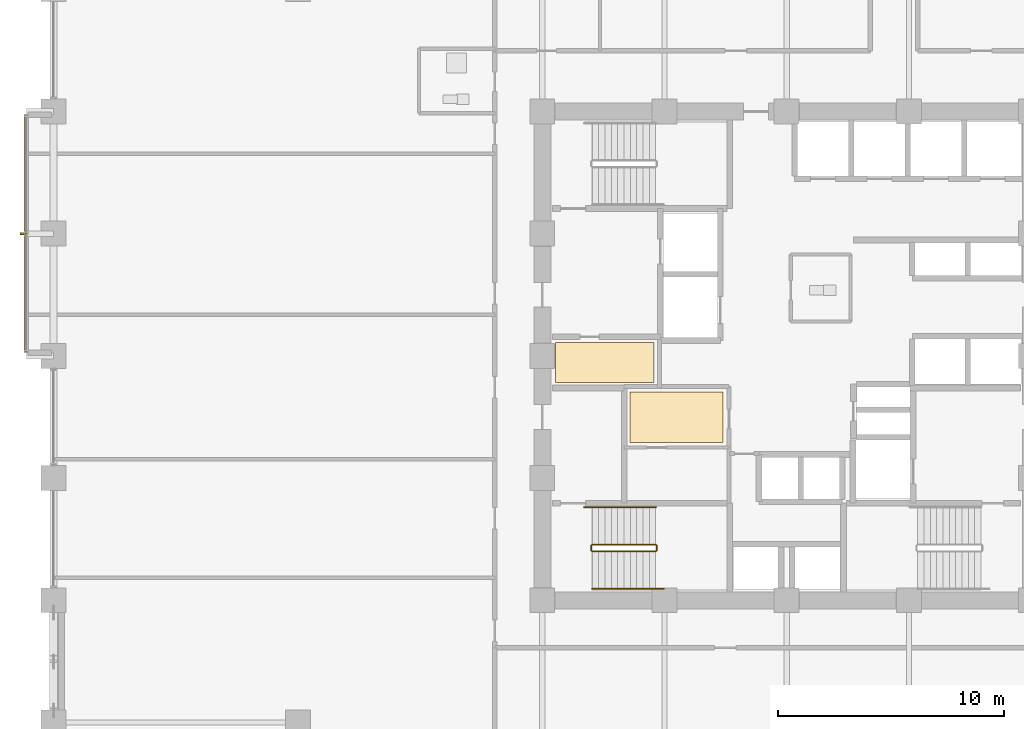
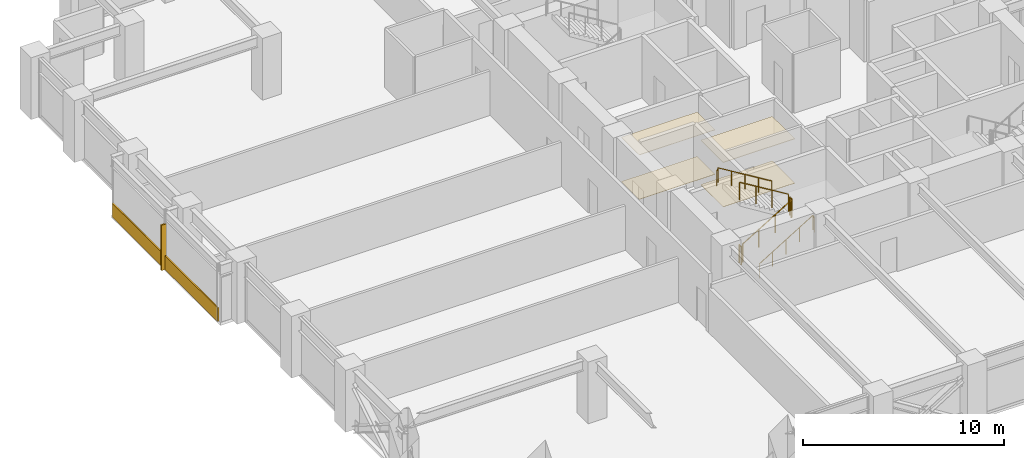
# One storey, part 23 of 25: 6 railings, 5 coverings, 1 shading device.
"""IFC4 building model written with IfcOpenShell, lengths in metres."""

from ifc_helpers import new_model, si_unit, direction, frame, origin, origin_2d, place, context, subcontext, project, spatial, polyline, rectangle, circle, outline, extrude, material, layer, layer_set, type_object, element, save


model = new_model("IFC4")

# Units and contexts
model_context = context("Model", 3, precision=1e-05, world=origin(), true_north=direction((0.0, 1.0)))
body_context = subcontext(model_context, "Body", "Model", "MODEL_VIEW")
ifc_project = project(units=[si_unit("LENGTHUNIT", "METRE"), si_unit("AREAUNIT", "SQUARE_METRE"), si_unit("VOLUMEUNIT", "CUBIC_METRE"), si_unit("PLANEANGLEUNIT", "RADIAN"), si_unit("MASSUNIT", "GRAM", prefix="KILO")], contexts=[model_context])

# Site, building, storey
site_placement = place(None, origin())
site = spatial("IfcSite", under=ifc_project, at=site_placement, CompositionType="ELEMENT")
building_placement = place(site_placement, origin())
building = spatial("IfcBuilding", under=site, at=building_placement, Name="Surkhivell Harbour Commons", CompositionType="ELEMENT")
storey_placement = place(building_placement, frame((0.0, 0.0, 98.25)))
storey = spatial("IfcBuildingStorey", under=building, at=storey_placement, Name="L25", CompositionType="ELEMENT", Elevation=98.25)

# Coverings
ifc_material_1 = material(Name="Perforated acoustic mineral-fibre ceiling tile", Category="other")
ifc_layer_1 = layer(ifc_material_1, 0.02490234375)
ifc_layer_set_1 = layer_set([ifc_layer_1], Name="Perforated acoustic mineral-fibre ceiling tile")
covering_type_1 = type_object("IfcCoveringType", Name="COV-CEIL-AC", PredefinedType="CEILING", material=ifc_layer_set_1)
covering_1_placement = place(storey_placement, frame((0.0, 0.0, 2.694091796875)))
element("IfcCovering", 1, at=covering_1_placement, inside=storey, type_object=covering_type_1, Name="L25 Suspended Acoustic Ceiling 1", PredefinedType="CEILING", context=body_context, shape_type="SweptSolid", body=[
    extrude(outline(polyline([(-10.219970703125, -1.179931640625), (-5.8701171875, -1.179931640625), (-5.8701171875, 0.60009765625), (-10.219970703125, 0.60009765625), (-10.219970703125, 0.580078125), (-10.219970703125, -0.580078125), (-10.219970703125, -1.179931640625)])), origin(), (0.0, 0.0, 1.0), 0.02490234375),
])
ifc_material_2 = material(Name="Moisture-resistant gypsum acoustic ceiling board", Category="other")
ifc_layer_2 = layer(ifc_material_2, 0.030029296875)
ifc_layer_set_2 = layer_set([ifc_layer_2], Name="Moisture-resistant gypsum acoustic ceiling board")
covering_type_2 = type_object("IfcCoveringType", Name="COV-CEIL-GYP", PredefinedType="CEILING", material=ifc_layer_set_2)
covering_2_placement = place(storey_placement, frame((0.0, 0.0, 2.68896484375)))
element("IfcCovering", 2, at=covering_2_placement, inside=storey, type_object=covering_type_2, Name="L25 Suspended Acoustic Ceiling 2", PredefinedType="CEILING", context=body_context, shape_type="SweptSolid", body=[
    extrude(outline(polyline([(-6.929931640625, -3.830078125), (-2.820068359375, -3.830078125), (-2.820068359375, -1.60009765625), (-6.929931640625, -1.60009765625), (-6.929931640625, -3.830078125)])), origin(), (0.0, 0.0, 1.0), 0.030029296875),
])
ifc_material_3 = material(Name="Cobalt-azure enamelled aluminium cassette panel", Category="aluminium")
ifc_layer_3 = layer(ifc_material_3, 0.072021484375)
ifc_layer_set_3 = layer_set([ifc_layer_3], Name="Cobalt-azure enamelled aluminium cassette panel")
covering_type_3 = type_object("IfcCoveringType", Name="COV-CLAD-COB", PredefinedType="CLADDING", material=ifc_layer_set_3)
covering_3_placement = place(storey_placement, frame((-33.639892578125, 5.39990234375, 0.0), z_axis=(0.0, 0.0, 1.0), x_axis=(1.0, 0.0, 0.0)))
element("IfcCovering", 3, at=covering_3_placement, inside=storey, type_object=covering_type_3, Name="L25 Coloured-Panel Box Spandrel Cassette 02", PredefinedType="CLADDING", context=body_context, shape_type="SweptSolid", body=[
    extrude(rectangle(XDim=0.080078125, YDim=10.5, at=origin_2d()), origin(), (0.0, 0.0, 1.0), 0.840087890625),
])
ifc_material_4 = material(Name="Engineered acoustic oak timber flooring", Category="wood")
ifc_layer_4 = layer(ifc_material_4, 0.02001953125)
ifc_layer_set_4 = layer_set([ifc_layer_4], Name="Engineered acoustic oak timber flooring")
covering_type_4 = type_object("IfcCoveringType", Name="COV-FLR-TIM", PredefinedType="FLOORING", material=ifc_layer_set_4)
covering_4_placement = place(storey_placement, origin())
element("IfcCovering", 4, at=covering_4_placement, inside=storey, type_object=covering_type_4, Name="L25 Interior Floor Finish 1", PredefinedType="FLOORING", context=body_context, shape_type="SweptSolid", body=[
    extrude(outline(polyline([(-10.219970703125, -1.179931640625), (-5.8701171875, -1.179931640625), (-5.8701171875, 0.60009765625), (-10.219970703125, 0.60009765625), (-10.219970703125, 0.580078125), (-10.219970703125, -0.580078125), (-10.219970703125, -1.179931640625)])), origin(), (0.0, 0.0, 1.0), 0.02001953125),
])
covering_5_placement = place(storey_placement, origin())
element("IfcCovering", 5, at=covering_5_placement, inside=storey, type_object=covering_type_4, Name="L25 Interior Floor Finish 2", PredefinedType="FLOORING", context=body_context, shape_type="SweptSolid", body=[
    extrude(outline(polyline([(-6.929931640625, -3.830078125), (-2.820068359375, -3.830078125), (-2.820068359375, -1.60009765625), (-6.929931640625, -1.60009765625), (-6.929931640625, -3.830078125)])), origin(), (0.0, 0.0, 1.0), 0.02001953125),
])

# Railings
ifc_material_5 = material(Name="Galvanised and painted steel S355 guard rail", Category="steel")
railing_type_1 = type_object("IfcRailingType", Name="RAL-ST-GRD1100", PredefinedType="GUARDRAIL", material=ifc_material_5)
railing_1_placement = place(storey_placement, frame((-8.590087890625, -8.639892578125, 0.17041015625)))
element("IfcRailing", 6, at=railing_1_placement, inside=storey, type_object=railing_type_1, Name="L25 ST3 stair guard 1", PredefinedType="GUARDRAIL", context=body_context, shape_type="SweptSolid", body=[
    extrude(circle(Radius=0.02392578125, at=origin_2d()), frame((0.0, 0.0, 1.076171875), z_axis=(0.854169791009, 0.0, 0.51999420009), x_axis=(0.0, 1.0, 0.0)), (0.0, 0.0, 1.0), 3.278076171875),
    extrude(circle(Radius=0.02099609375, at=origin_2d()), origin(), (0.0, 0.0, 1.0), 1.052001953125),
    extrude(circle(Radius=0.02099609375, at=origin_2d()), frame((0.933349609375, 0.0, 0.568115234375)), (0.0, 0.0, 1.0), 1.052001953125),
    extrude(circle(Radius=0.02099609375, at=origin_2d()), frame((1.86669921875, 0.0, 1.136474609375)), (0.0, 0.0, 1.0), 1.052001953125),
    extrude(circle(Radius=0.02099609375, at=origin_2d()), frame((2.800048828125, 0.0, 1.70458984375)), (0.0, 0.0, 1.0), 1.052001953125),
])
railing_2_placement = place(storey_placement, frame((-5.739990234375, -8.590087890625, 1.875)))
element("IfcRailing", 7, at=railing_2_placement, inside=storey, type_object=railing_type_1, Name="L25 ST3 stair guard 2", PredefinedType="GUARDRAIL", context=body_context, shape_type="SweptSolid", body=[
    extrude(circle(Radius=0.02392578125, at=origin_2d()), frame((0.0, 0.0, 1.076171875), z_axis=(0.0, 1.0, 0.0), x_axis=(-1.0, 0.0, 0.0)), (0.0, 0.0, 1.0), 0.2001953125),
    extrude(circle(Radius=0.02099609375, at=origin_2d()), origin(), (0.0, 0.0, 1.0), 1.052001953125),
    extrude(circle(Radius=0.02099609375, at=origin_2d()), frame((0.0, 0.2001953125, 0.0)), (0.0, 0.0, 1.0), 1.052001953125),
])
railing_3_placement = place(storey_placement, frame((-5.7900390625, -8.340087890625, 2.04541015625)))
element("IfcRailing", 8, at=railing_3_placement, inside=storey, type_object=railing_type_1, Name="L25 ST3 stair guard 3", PredefinedType="GUARDRAIL", context=body_context, shape_type="SweptSolid", body=[
    extrude(circle(Radius=0.02392578125, at=origin_2d()), frame((0.0, 0.0, 1.076171875), z_axis=(-0.854169791009, 0.0, 0.51999420009), x_axis=(0.0, -1.0, 0.0)), (0.0, 0.0, 1.0), 3.278076171875),
    extrude(circle(Radius=0.02099609375, at=origin_2d()), origin(), (0.0, 0.0, 1.0), 1.052001953125),
    extrude(circle(Radius=0.02099609375, at=origin_2d()), frame((-0.933349609375, 0.0, 0.568115234375)), (0.0, 0.0, 1.0), 1.052001953125),
    extrude(circle(Radius=0.02099609375, at=origin_2d()), frame((-1.86669921875, 0.0, 1.136474609375)), (0.0, 0.0, 1.0), 1.052001953125),
    extrude(circle(Radius=0.02099609375, at=origin_2d()), frame((-2.800048828125, 0.0, 1.70458984375)), (0.0, 0.0, 1.0), 1.052001953125),
])
railing_4_placement = place(storey_placement, frame((-8.639892578125, -8.590087890625, 0.0)))
element("IfcRailing", 9, at=railing_4_placement, inside=storey, type_object=railing_type_1, Name="L25 ST3 stair guard 4", PredefinedType="GUARDRAIL", context=body_context, shape_type="SweptSolid", body=[
    extrude(circle(Radius=0.02392578125, at=origin_2d()), frame((0.0, 0.0, 1.076171875), z_axis=(0.0, 1.0, 0.0), x_axis=(-1.0, 0.0, 0.0)), (0.0, 0.0, 1.0), 0.2001953125),
    extrude(circle(Radius=0.02099609375, at=origin_2d()), origin(), (0.0, 0.0, 1.0), 1.052001953125),
    extrude(circle(Radius=0.02099609375, at=origin_2d()), frame((0.0, 0.2001953125, 0.0)), (0.0, 0.0, 1.0), 1.052001953125),
])
ifc_material_6 = material(Name="Brushed stainless steel S355 handrail", Category="steel")
railing_type_2 = type_object("IfcRailingType", Name="RAL-ST-HND900", PredefinedType="HANDRAIL", material=ifc_material_6)
railing_5_placement = place(storey_placement, frame((-8.590087890625, -10.2900390625, 0.17041015625)))
element("IfcRailing", 10, at=railing_5_placement, inside=storey, type_object=railing_type_2, Name="L25 ST3 stair handrail 1", PredefinedType="HANDRAIL", context=body_context, shape_type="SweptSolid", body=[
    extrude(circle(Radius=0.02392578125, at=origin_2d()), frame((0.0, 0.0, 0.8759765625), z_axis=(0.854177636135, 0.0, 0.519981313056), x_axis=(0.0, 1.0, 0.0)), (0.0, 0.0, 1.0), 3.60595703125),
    extrude(circle(Radius=0.02392578125, at=origin_2d()), frame((3.080078125, 0.0, 2.7509765625), z_axis=(0.425297416671, 0.0, -0.905053648892), x_axis=(0.0, 1.0, 0.0)), (0.0, 0.0, 1.0), 0.188232421875),
    extrude(circle(Radius=0.02099609375, at=origin_2d()), origin(), (0.0, 0.0, 1.0), 0.851806640625),
    extrude(circle(Radius=0.02099609375, at=origin_2d()), frame((0.77001953125, 0.0, 0.46875)), (0.0, 0.0, 1.0), 0.851806640625),
    extrude(circle(Radius=0.02099609375, at=origin_2d()), frame((1.5400390625, 0.0, 0.9375)), (0.0, 0.0, 1.0), 0.851806640625),
    extrude(circle(Radius=0.02099609375, at=origin_2d()), frame((2.31005859375, 0.0, 1.40625)), (0.0, 0.0, 1.0), 0.851806640625),
    extrude(circle(Radius=0.02099609375, at=origin_2d()), frame((3.080078125, 0.0, 1.875)), (0.0, 0.0, 1.0), 0.851806640625),
    extrude(circle(Radius=0.02099609375, at=origin_2d()), frame((3.16015625, 0.0, 1.70458984375)), (0.0, 0.0, 1.0), 0.851806640625),
])
railing_6_placement = place(storey_placement, frame((-5.7900390625, -6.68994140625, 2.04541015625)))
element("IfcRailing", 11, at=railing_6_placement, inside=storey, type_object=railing_type_2, Name="L25 ST3 stair handrail 2", PredefinedType="HANDRAIL", context=body_context, shape_type="SweptSolid", body=[
    extrude(circle(Radius=0.02392578125, at=origin_2d()), frame((0.0, 0.0, 0.8759765625), z_axis=(-0.854177636135, 0.0, 0.519981313056), x_axis=(0.0, -1.0, 0.0)), (0.0, 0.0, 1.0), 3.60595703125),
    extrude(circle(Radius=0.02392578125, at=origin_2d()), frame((-3.080078125, 0.0, 2.7509765625), z_axis=(-0.424234432967, 0.0, -0.905552398199), x_axis=(0.0, -1.0, 0.0)), (0.0, 0.0, 1.0), 0.188232421875),
    extrude(circle(Radius=0.02099609375, at=origin_2d()), origin(), (0.0, 0.0, 1.0), 0.851806640625),
    extrude(circle(Radius=0.02099609375, at=origin_2d()), frame((-0.77001953125, 0.0, 0.46875)), (0.0, 0.0, 1.0), 0.851806640625),
    extrude(circle(Radius=0.02099609375, at=origin_2d()), frame((-1.5400390625, 0.0, 0.9375)), (0.0, 0.0, 1.0), 0.851806640625),
    extrude(circle(Radius=0.02099609375, at=origin_2d()), frame((-2.31005859375, 0.0, 1.40625)), (0.0, 0.0, 1.0), 0.851806640625),
    extrude(circle(Radius=0.02099609375, at=origin_2d()), frame((-3.080078125, 0.0, 1.875)), (0.0, 0.0, 1.0), 0.851806640625),
    extrude(circle(Radius=0.02099609375, at=origin_2d()), frame((-3.159912109375, 0.0, 1.70458984375)), (0.0, 0.0, 1.0), 0.851806640625),
])

# Shading device
ifc_material_7 = material(Name="Champagne anodised aluminium solar fin", Category="aluminium")
shading_device_type = type_object("IfcShadingDeviceType", Name="SHD-FIN-SLIM", PredefinedType="USERDEFINED", material=ifc_material_7)
shading_device_placement = place(storey_placement, frame((-33.739990234375, 5.39990234375, 0.0048828125), z_axis=(0.0, 0.0, 1.0), x_axis=(1.0, 0.0, 0.0)))
element("IfcShadingDevice", 12, at=shading_device_placement, inside=storey, type_object=shading_device_type, Name="L25 Coloured-Box Solar Fin 02", ObjectType="FIN", PredefinedType="USERDEFINED", context=body_context, shape_type="SweptSolid", body=[
    extrude(rectangle(XDim=0.280029296875, YDim=0.080078125, at=origin_2d()), origin(), (0.0, 0.0, 1.0), 2.75),
])

save(model, "model.ifc")
